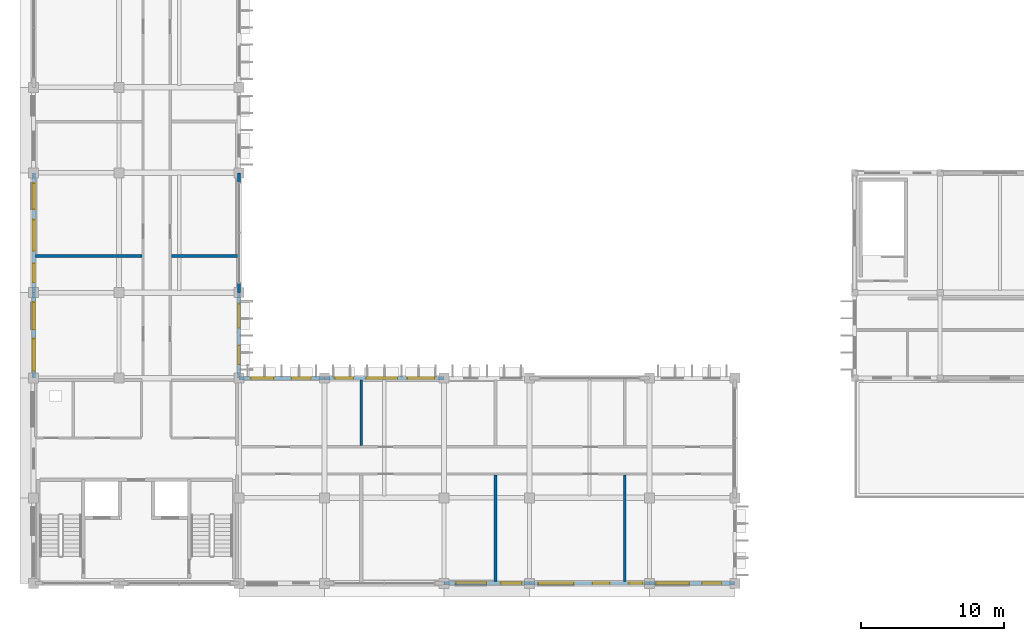
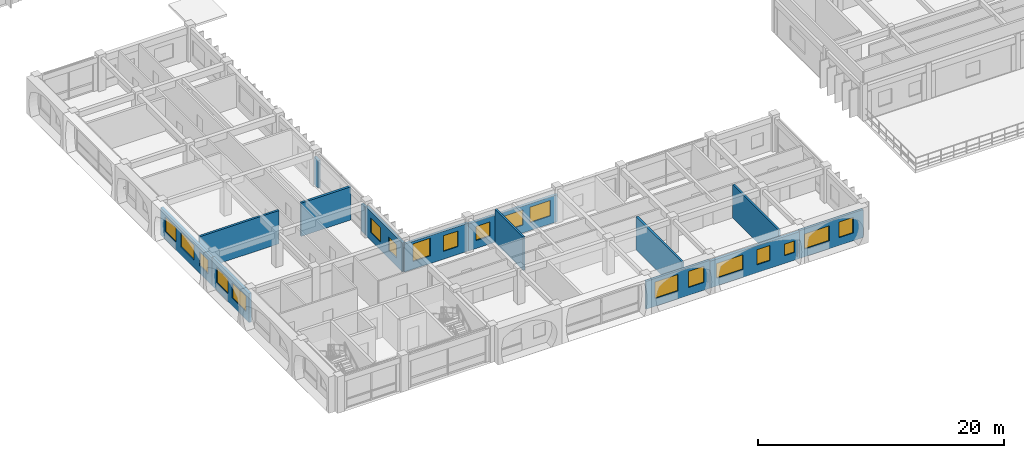
# One storey, part 47 of 88: 19 windows, 15 walls, 19 openings.
"""IFC4 building model written with IfcOpenShell, lengths in metres."""

from ifc_helpers import new_model, si_unit, direction, frame, frame_2d, origin, place, context, subcontext, project, spatial, rectangle, extrude, material, layer, layer_set, type_object, element, fill, save


model = new_model("IFC4")

# Units and contexts
model_context = context("Model", 3, precision=1e-05, world=origin(), true_north=direction((0.0, 1.0)))
body_context = subcontext(model_context, "Body", "Model", "MODEL_VIEW")
ifc_project = project(units=[si_unit("LENGTHUNIT", "METRE"), si_unit("AREAUNIT", "SQUARE_METRE"), si_unit("VOLUMEUNIT", "CUBIC_METRE"), si_unit("PLANEANGLEUNIT", "RADIAN"), si_unit("MASSUNIT", "GRAM", prefix="KILO"), si_unit("THERMODYNAMICTEMPERATUREUNIT", "KELVIN")], contexts=[model_context])

# Site, building, storey
site_placement = place(None, origin())
site = spatial("IfcSite", under=ifc_project, at=site_placement, CompositionType="ELEMENT")
building_placement = place(site_placement, origin())
building = spatial("IfcBuilding", under=site, at=building_placement, Name="Thalorik Housing Commons", CompositionType="ELEMENT")
storey_placement = place(building_placement, frame((0.0, 0.0, 4.5)))
storey = spatial("IfcBuildingStorey", under=building, at=storey_placement, Name="L01", CompositionType="ELEMENT", Elevation=4.5)

# Wall, openings, windows
ifc_material_1 = material(Name="White precast concrete C40/50", Category="concrete")
ifc_layer_1 = layer(ifc_material_1, 0.235107421875, Name="White precast concrete C40/50", Category="concrete")
ifc_layer_set_1 = layer_set([ifc_layer_1], Name="White precast concrete C40/50")
wall_type_1 = type_object("IfcWallType", Name="ARC-WAL-EXT-235", PredefinedType="STANDARD", material=ifc_layer_set_1)
wall_1_placement = place(storey_placement, frame((22.800048828125, 22.800048828125, 0.0), z_axis=(0.0, 0.0, 1.0), x_axis=(0.0, 1.0, 0.0)))
wall_1 = element("IfcWall", 1, at=wall_1_placement, inside=storey, type_object=wall_type_1, Name="L01 Exterior Wall WAL-EXT-L01-C-0849", PredefinedType="STANDARD", context=body_context, shape_type="SweptSolid", body=[
    extrude(rectangle(XDim=6.0, YDim=0.235107421875, at=frame_2d((3.0, 0.0))), origin(), (0.0, 0.0, 1.0), 2.875),
])
opening_1_placement = place(wall_1_placement, frame((0.969970703125, 0.0, 0.780029296875)))
opening_1 = element("IfcOpeningElement", 2, at=opening_1_placement, cuts=wall_1, Name="Opening W-48", PredefinedType="OPENING", context=body_context, shape_type="SweptSolid", body=[
    extrude(rectangle(XDim=1.320068359375, YDim=1.35009765625, at=frame_2d((0.66015625, 0.675048828125))), frame((0.0, 0.12744140625, 0.0), z_axis=(0.0, -1.0, 0.0), x_axis=(1.0, 0.0, 0.0)), (0.0, 0.0, 1.0), 0.255126953125),
])
opening_2_placement = place(wall_1_placement, frame((3.530029296875, 0.0, 0.780029296875)))
opening_2 = element("IfcOpeningElement", 3, at=opening_2_placement, cuts=wall_1, Name="Opening W-55", PredefinedType="OPENING", context=body_context, shape_type="SweptSolid", body=[
    extrude(rectangle(XDim=1.679931640625, YDim=1.4599609375, at=frame_2d((0.83984375, 0.72998046875))), frame((0.0, 0.12744140625, 0.0), z_axis=(0.0, -1.0, 0.0), x_axis=(1.0, 0.0, 0.0)), (0.0, 0.0, 1.0), 0.255126953125),
])
ifc_material_2 = material(Name="Anodised aluminium and solar-control low-E glass", Category="aluminium")
window_type_1 = type_object("IfcWindowType", Name="ARC-WIN-48", PartitioningType="SINGLE_PANEL", PredefinedType="WINDOW", material=ifc_material_2)
window_1_placement = place(opening_1_placement, origin())
window_1 = element("IfcWindow", 4, at=window_1_placement, inside=storey, type_object=window_type_1, Name="L01 Facade Window 1574", OverallHeight=1.35009765625, OverallWidth=1.320068359375, PartitioningType="SINGLE_PANEL", PredefinedType="WINDOW", context=body_context, shape_type="SweptSolid", body=[
    extrude(rectangle(XDim=1.320068359375, YDim=1.35009765625, at=frame_2d((0.66015625, 0.675048828125))), frame((0.0, 0.030029296875, 0.0), z_axis=(0.0, -1.0, 0.0), x_axis=(1.0, 0.0, 0.0)), (0.0, 0.0, 1.0), 0.06005859375),
])
fill(opening_1, window_1)
window_type_2 = type_object("IfcWindowType", Name="ARC-WIN-55", PartitioningType="DOUBLE_PANEL_VERTICAL", PredefinedType="WINDOW", material=ifc_material_2)
window_2_placement = place(opening_2_placement, origin())
window_2 = element("IfcWindow", 5, at=window_2_placement, inside=storey, type_object=window_type_2, Name="L01 Facade Window 1575", OverallHeight=1.4599609375, OverallWidth=1.679931640625, PartitioningType="DOUBLE_PANEL_VERTICAL", PredefinedType="WINDOW", context=body_context, shape_type="SweptSolid", body=[
    extrude(rectangle(XDim=1.679931640625, YDim=1.4599609375, at=frame_2d((0.83984375, 0.72998046875))), frame((0.0, 0.030029296875, 0.0), z_axis=(0.0, -1.0, 0.0), x_axis=(1.0, 0.0, 0.0)), (0.0, 0.0, 1.0), 0.06005859375),
])
fill(opening_2, window_2)

# Walls
for number, where, z_axis, x_axis, name in (
    (6, (22.800048828125, 28.800048828125, 0.0), (0.0, 0.0, 1.0), (0.0, 1.0, 0.0), "L01 Exterior Wall WAL-PIERL-L01-C-0850"),
    (7, (22.800048828125, 36.5, 0.0), (0.0, 0.0, 1.0), (0.0, 1.0, 0.0), "L01 Exterior Wall WAL-PIERR-L01-C-0850"),
):
    element("IfcWall", number, at=place(storey_placement, frame(where, z_axis=z_axis, x_axis=x_axis)), inside=storey, type_object=wall_type_1, Name=name, PredefinedType="STANDARD", context=body_context, shape_type="SweptSolid", body=[
        extrude(rectangle(XDim=0.699951171875, YDim=0.235107421875, at=frame_2d((0.35009765625, 0.0))), origin(), (0.0, 0.0, 1.0), 2.72509765625),
    ])

# Wall, openings, windows
wall_2_placement = place(storey_placement, frame((8.39990234375, 37.199951171875, 0.0), z_axis=(0.0, 0.0, 1.0), x_axis=(0.0, -1.0, 0.0)))
wall_2 = element("IfcWall", 8, at=wall_2_placement, inside=storey, type_object=wall_type_1, Name="L01 Exterior Wall WAL-EXT-L01-C-0859", PredefinedType="STANDARD", context=body_context, shape_type="SweptSolid", body=[
    extrude(rectangle(XDim=8.39990234375, YDim=0.235107421875, at=frame_2d((4.199951171875, 0.0))), origin(), (0.0, 0.0, 1.0), 2.72509765625),
])
opening_3_placement = place(wall_2_placement, frame((0.722412109375, 0.0, 0.780029296875)))
opening_3 = element("IfcOpeningElement", 9, at=opening_3_placement, cuts=wall_2, Name="Opening W-58", PredefinedType="OPENING", context=body_context, shape_type="SweptSolid", body=[
    extrude(rectangle(XDim=1.820068359375, YDim=1.4599609375, at=frame_2d((0.91015625, 0.72998046875))), frame((0.0, 0.12744140625, 0.0), z_axis=(0.0, -1.0, 0.0), x_axis=(1.0, 0.0, 0.0)), (0.0, 0.0, 1.0), 0.255126953125),
])
opening_4_placement = place(wall_2_placement, frame((3.28759765625, 0.0, 0.780029296875)))
opening_4 = element("IfcOpeningElement", 10, at=opening_4_placement, cuts=wall_2, Name="Opening W-65", PredefinedType="OPENING", context=body_context, shape_type="SweptSolid", body=[
    extrude(rectangle(XDim=2.179931640625, YDim=1.47998046875, at=frame_2d((1.08984375, 0.739990234375))), frame((0.0, 0.12744140625, 0.0), z_axis=(0.0, -1.0, 0.0), x_axis=(1.0, 0.0, 0.0)), (0.0, 0.0, 1.0), 0.255126953125),
])
opening_5_placement = place(wall_2_placement, frame((6.35498046875, 0.0, 0.780029296875)))
opening_5 = element("IfcOpeningElement", 11, at=opening_5_placement, cuts=wall_2, Name="Opening W-48", PredefinedType="OPENING", context=body_context, shape_type="SweptSolid", body=[
    extrude(rectangle(XDim=1.320068359375, YDim=1.35009765625, at=frame_2d((0.66015625, 0.675048828125))), frame((0.0, 0.12744140625, 0.0), z_axis=(0.0, -1.0, 0.0), x_axis=(1.0, 0.0, 0.0)), (0.0, 0.0, 1.0), 0.255126953125),
])
window_3_placement = place(opening_5_placement, origin())
window_3 = element("IfcWindow", 12, at=window_3_placement, inside=storey, type_object=window_type_1, Name="L01 Facade Window 1592", OverallHeight=1.35009765625, OverallWidth=1.320068359375, PartitioningType="SINGLE_PANEL", PredefinedType="WINDOW", context=body_context, shape_type="SweptSolid", body=[
    extrude(rectangle(XDim=1.320068359375, YDim=1.35009765625, at=frame_2d((0.66015625, 0.675048828125))), frame((0.0, 0.030029296875, 0.0), z_axis=(0.0, -1.0, 0.0), x_axis=(1.0, 0.0, 0.0)), (0.0, 0.0, 1.0), 0.06005859375),
])
fill(opening_5, window_3)
window_type_3 = type_object("IfcWindowType", Name="ARC-WIN-58", PartitioningType="DOUBLE_PANEL_VERTICAL", PredefinedType="WINDOW", material=ifc_material_2)
window_4_placement = place(opening_3_placement, origin())
window_4 = element("IfcWindow", 13, at=window_4_placement, inside=storey, type_object=window_type_3, Name="L01 Facade Window 1590", OverallHeight=1.4599609375, OverallWidth=1.820068359375, PartitioningType="DOUBLE_PANEL_VERTICAL", PredefinedType="WINDOW", context=body_context, shape_type="SweptSolid", body=[
    extrude(rectangle(XDim=1.820068359375, YDim=1.4599609375, at=frame_2d((0.91015625, 0.72998046875))), frame((0.0, 0.030029296875, 0.0), z_axis=(0.0, -1.0, 0.0), x_axis=(1.0, 0.0, 0.0)), (0.0, 0.0, 1.0), 0.06005859375),
])
fill(opening_3, window_4)
window_type_4 = type_object("IfcWindowType", Name="ARC-WIN-65", PartitioningType="DOUBLE_PANEL_VERTICAL", PredefinedType="WINDOW", material=ifc_material_2)
window_5_placement = place(opening_4_placement, origin())
window_5 = element("IfcWindow", 14, at=window_5_placement, inside=storey, type_object=window_type_4, Name="L01 Facade Window 1591", OverallHeight=1.47998046875, OverallWidth=2.179931640625, PartitioningType="DOUBLE_PANEL_VERTICAL", PredefinedType="WINDOW", context=body_context, shape_type="SweptSolid", body=[
    extrude(rectangle(XDim=2.179931640625, YDim=1.47998046875, at=frame_2d((1.08984375, 0.739990234375))), frame((0.0, 0.030029296875, 0.0), z_axis=(0.0, -1.0, 0.0), x_axis=(1.0, 0.0, 0.0)), (0.0, 0.0, 1.0), 0.06005859375),
])
fill(opening_4, window_5)

wall_3_placement = place(storey_placement, frame((8.39990234375, 28.800048828125, 0.0), z_axis=(0.0, 0.0, 1.0), x_axis=(0.0, -1.0, 0.0)))
wall_3 = element("IfcWall", 15, at=wall_3_placement, inside=storey, type_object=wall_type_1, Name="L01 Exterior Wall WAL-EXT-L01-C-0860", PredefinedType="STANDARD", context=body_context, shape_type="SweptSolid", body=[
    extrude(rectangle(XDim=6.0, YDim=0.235107421875, at=frame_2d((3.0, 0.0))), origin(), (0.0, 0.0, 1.0), 2.875),
])
opening_6_placement = place(wall_3_placement, frame((0.68994140625, 0.0, 0.780029296875)))
opening_6 = element("IfcOpeningElement", 16, at=opening_6_placement, cuts=wall_3, Name="Opening W-59", PredefinedType="OPENING", context=body_context, shape_type="SweptSolid", body=[
    extrude(rectangle(XDim=1.8798828125, YDim=1.52001953125, at=frame_2d((0.93994140625, 0.760009765625))), frame((0.0, 0.12744140625, 0.0), z_axis=(0.0, -1.0, 0.0), x_axis=(1.0, 0.0, 0.0)), (0.0, 0.0, 1.0), 0.255126953125),
])
opening_7_placement = place(wall_3_placement, frame((3.25, 0.0, 0.780029296875)))
opening_7 = element("IfcOpeningElement", 17, at=opening_7_placement, cuts=wall_3, Name="Opening W-66", PredefinedType="OPENING", context=body_context, shape_type="SweptSolid", body=[
    extrude(rectangle(XDim=2.239990234375, YDim=1.52001953125, at=frame_2d((1.1201171875, 0.760009765625))), frame((0.0, 0.12744140625, 0.0), z_axis=(0.0, -1.0, 0.0), x_axis=(1.0, 0.0, 0.0)), (0.0, 0.0, 1.0), 0.255126953125),
])
window_type_5 = type_object("IfcWindowType", Name="ARC-WIN-59", PartitioningType="DOUBLE_PANEL_VERTICAL", PredefinedType="WINDOW", material=ifc_material_2)
window_6_placement = place(opening_6_placement, origin())
window_6 = element("IfcWindow", 18, at=window_6_placement, inside=storey, type_object=window_type_5, Name="L01 Facade Window 1593", OverallHeight=1.52001953125, OverallWidth=1.8798828125, PartitioningType="DOUBLE_PANEL_VERTICAL", PredefinedType="WINDOW", context=body_context, shape_type="SweptSolid", body=[
    extrude(rectangle(XDim=1.8798828125, YDim=1.52001953125, at=frame_2d((0.93994140625, 0.760009765625))), frame((0.0, 0.030029296875, 0.0), z_axis=(0.0, -1.0, 0.0), x_axis=(1.0, 0.0, 0.0)), (0.0, 0.0, 1.0), 0.06005859375),
])
fill(opening_6, window_6)
window_type_6 = type_object("IfcWindowType", Name="ARC-WIN-66", PartitioningType="DOUBLE_PANEL_VERTICAL", PredefinedType="WINDOW", material=ifc_material_2)
window_7_placement = place(opening_7_placement, origin())
window_7 = element("IfcWindow", 19, at=window_7_placement, inside=storey, type_object=window_type_6, Name="L01 Facade Window 1594", OverallHeight=1.52001953125, OverallWidth=2.239990234375, PartitioningType="DOUBLE_PANEL_VERTICAL", PredefinedType="WINDOW", context=body_context, shape_type="SweptSolid", body=[
    extrude(rectangle(XDim=2.239990234375, YDim=1.52001953125, at=frame_2d((1.1201171875, 0.760009765625))), frame((0.0, 0.030029296875, 0.0), z_axis=(0.0, -1.0, 0.0), x_axis=(1.0, 0.0, 0.0)), (0.0, 0.0, 1.0), 0.06005859375),
])
fill(opening_7, window_7)

wall_4_placement = place(storey_placement, frame((37.199951171875, 8.39990234375, 0.0), z_axis=(0.0, 0.0, 1.0), x_axis=(1.0, 0.0, 0.0)))
wall_4 = element("IfcWall", 20, at=wall_4_placement, inside=storey, type_object=wall_type_1, Name="L01 Exterior Wall WAL-EXT-L01-C-0867", PredefinedType="STANDARD", context=body_context, shape_type="SweptSolid", body=[
    extrude(rectangle(XDim=6.0, YDim=0.235107421875, at=frame_2d((3.0, 0.0))), origin(), (0.0, 0.0, 1.0), 2.77490234375),
])
opening_8_placement = place(wall_4_placement, frame((0.820068359375, 0.0, 0.780029296875)))
opening_8 = element("IfcOpeningElement", 21, at=opening_8_placement, cuts=wall_4, Name="Opening W-28", PredefinedType="OPENING", context=body_context, shape_type="SweptSolid", body=[
    extrude(rectangle(XDim=2.14990234375, YDim=1.64990234375, at=frame_2d((1.074951171875, 0.824951171875))), frame((0.0, 0.12744140625, 0.0), z_axis=(0.0, -1.0, 0.0), x_axis=(1.0, 0.0, 0.0)), (0.0, 0.0, 1.0), 0.255126953125),
])
opening_9_placement = place(wall_4_placement, frame((3.97998046875, 0.0, 0.780029296875)))
opening_9 = element("IfcOpeningElement", 22, at=opening_9_placement, cuts=wall_4, Name="Opening W-09", PredefinedType="OPENING", context=body_context, shape_type="SweptSolid", body=[
    extrude(rectangle(XDim=1.449951171875, YDim=1.60009765625, at=frame_2d((0.72509765625, 0.800048828125))), frame((0.0, 0.12744140625, 0.0), z_axis=(0.0, -1.0, 0.0), x_axis=(1.0, 0.0, 0.0)), (0.0, 0.0, 1.0), 0.255126953125),
])
window_type_7 = type_object("IfcWindowType", Name="ARC-WIN-09", PartitioningType="SINGLE_PANEL", PredefinedType="WINDOW", material=ifc_material_2)
window_8_placement = place(opening_9_placement, origin())
window_8 = element("IfcWindow", 23, at=window_8_placement, inside=storey, type_object=window_type_7, Name="L01 Facade Window 1602", OverallHeight=1.60009765625, OverallWidth=1.449951171875, PartitioningType="SINGLE_PANEL", PredefinedType="WINDOW", context=body_context, shape_type="SweptSolid", body=[
    extrude(rectangle(XDim=1.449951171875, YDim=1.60009765625, at=frame_2d((0.72509765625, 0.800048828125))), frame((0.0, 0.030029296875, 0.0), z_axis=(0.0, -1.0, 0.0), x_axis=(1.0, 0.0, 0.0)), (0.0, 0.0, 1.0), 0.06005859375),
])
fill(opening_9, window_8)
window_type_8 = type_object("IfcWindowType", Name="ARC-WIN-28", PartitioningType="DOUBLE_PANEL_VERTICAL", PredefinedType="WINDOW", material=ifc_material_2)
window_9_placement = place(opening_8_placement, origin())
window_9 = element("IfcWindow", 24, at=window_9_placement, inside=storey, type_object=window_type_8, Name="L01 Facade Window 1601", OverallHeight=1.64990234375, OverallWidth=2.14990234375, PartitioningType="DOUBLE_PANEL_VERTICAL", PredefinedType="WINDOW", context=body_context, shape_type="SweptSolid", body=[
    extrude(rectangle(XDim=2.14990234375, YDim=1.64990234375, at=frame_2d((1.074951171875, 0.824951171875))), frame((0.0, 0.030029296875, 0.0), z_axis=(0.0, -1.0, 0.0), x_axis=(1.0, 0.0, 0.0)), (0.0, 0.0, 1.0), 0.06005859375),
])
fill(opening_8, window_9)

wall_5_placement = place(storey_placement, frame((43.199951171875, 8.39990234375, 0.0), z_axis=(0.0, 0.0, 1.0), x_axis=(1.0, 0.0, 0.0)))
wall_5 = element("IfcWall", 25, at=wall_5_placement, inside=storey, type_object=wall_type_1, Name="L01 Exterior Wall WAL-EXT-L01-C-0868", PredefinedType="STANDARD", context=body_context, shape_type="SweptSolid", body=[
    extrude(rectangle(XDim=8.400146484375, YDim=0.235107421875, at=frame_2d((4.2001953125, 0.0))), origin(), (0.0, 0.0, 1.0), 2.675048828125),
])
opening_10_placement = place(wall_5_placement, frame((0.60498046875, 0.0, 0.780029296875)))
opening_10 = element("IfcOpeningElement", 26, at=opening_10_placement, cuts=wall_5, Name="Opening W-71", PredefinedType="OPENING", context=body_context, shape_type="SweptSolid", body=[
    extrude(rectangle(XDim=2.47998046875, YDim=1.4599609375, at=frame_2d((1.239990234375, 0.72998046875))), frame((0.0, 0.12744140625, 0.0), z_axis=(0.0, -1.0, 0.0), x_axis=(1.0, 0.0, 0.0)), (0.0, 0.0, 1.0), 0.255126953125),
])
opening_11_placement = place(wall_5_placement, frame((4.4150390625, 0.0, 0.780029296875)))
opening_11 = element("IfcOpeningElement", 27, at=opening_11_placement, cuts=wall_5, Name="Opening W-05", PredefinedType="OPENING", context=body_context, shape_type="SweptSolid", body=[
    extrude(rectangle(XDim=1.199951171875, YDim=1.5, at=frame_2d((0.60009765625, 0.75))), frame((0.0, 0.12744140625, 0.0), z_axis=(0.0, -1.0, 0.0), x_axis=(1.0, 0.0, 0.0)), (0.0, 0.0, 1.0), 0.255126953125),
])
opening_12_placement = place(wall_5_placement, frame((6.965087890625, 0.0, 0.780029296875)))
opening_12 = element("IfcOpeningElement", 28, at=opening_12_placement, cuts=wall_5, Name="Opening W-43", PredefinedType="OPENING", context=body_context, shape_type="SweptSolid", body=[
    extrude(rectangle(XDim=0.949951171875, YDim=1.14990234375, at=frame_2d((0.47509765625, 0.574951171875))), frame((0.0, 0.12744140625, 0.0), z_axis=(0.0, -1.0, 0.0), x_axis=(1.0, 0.0, 0.0)), (0.0, 0.0, 1.0), 0.255126953125),
])
window_type_9 = type_object("IfcWindowType", Name="ARC-WIN-05", PartitioningType="SINGLE_PANEL", PredefinedType="WINDOW", material=ifc_material_2)
window_10_placement = place(opening_11_placement, origin())
window_10 = element("IfcWindow", 29, at=window_10_placement, inside=storey, type_object=window_type_9, Name="L01 Facade Window 1604", OverallHeight=1.5, OverallWidth=1.199951171875, PartitioningType="SINGLE_PANEL", PredefinedType="WINDOW", context=body_context, shape_type="SweptSolid", body=[
    extrude(rectangle(XDim=1.199951171875, YDim=1.5, at=frame_2d((0.60009765625, 0.75))), frame((0.0, 0.030029296875, 0.0), z_axis=(0.0, -1.0, 0.0), x_axis=(1.0, 0.0, 0.0)), (0.0, 0.0, 1.0), 0.06005859375),
])
fill(opening_11, window_10)
window_type_10 = type_object("IfcWindowType", Name="ARC-WIN-43", PartitioningType="SINGLE_PANEL", PredefinedType="WINDOW", material=ifc_material_2)
window_11_placement = place(opening_12_placement, origin())
window_11 = element("IfcWindow", 30, at=window_11_placement, inside=storey, type_object=window_type_10, Name="L01 Facade Window 1605", OverallHeight=1.14990234375, OverallWidth=0.949951171875, PartitioningType="SINGLE_PANEL", PredefinedType="WINDOW", context=body_context, shape_type="SweptSolid", body=[
    extrude(rectangle(XDim=0.949951171875, YDim=1.14990234375, at=frame_2d((0.47509765625, 0.574951171875))), frame((0.0, 0.030029296875, 0.0), z_axis=(0.0, -1.0, 0.0), x_axis=(1.0, 0.0, 0.0)), (0.0, 0.0, 1.0), 0.06005859375),
])
fill(opening_12, window_11)
window_type_11 = type_object("IfcWindowType", Name="ARC-WIN-71", PartitioningType="DOUBLE_PANEL_VERTICAL", PredefinedType="WINDOW", material=ifc_material_2)
window_12_placement = place(opening_10_placement, origin())
window_12 = element("IfcWindow", 31, at=window_12_placement, inside=storey, type_object=window_type_11, Name="L01 Facade Window 1603", OverallHeight=1.4599609375, OverallWidth=2.47998046875, PartitioningType="DOUBLE_PANEL_VERTICAL", PredefinedType="WINDOW", context=body_context, shape_type="SweptSolid", body=[
    extrude(rectangle(XDim=2.47998046875, YDim=1.4599609375, at=frame_2d((1.239990234375, 0.72998046875))), frame((0.0, 0.030029296875, 0.0), z_axis=(0.0, -1.0, 0.0), x_axis=(1.0, 0.0, 0.0)), (0.0, 0.0, 1.0), 0.06005859375),
])
fill(opening_10, window_12)

wall_6_placement = place(storey_placement, frame((51.60009765625, 8.39990234375, 0.0), z_axis=(0.0, 0.0, 1.0), x_axis=(1.0, 0.0, 0.0)))
wall_6 = element("IfcWall", 32, at=wall_6_placement, inside=storey, type_object=wall_type_1, Name="L01 Exterior Wall WAL-EXT-L01-C-0869", PredefinedType="STANDARD", context=body_context, shape_type="SweptSolid", body=[
    extrude(rectangle(XDim=6.0, YDim=0.235107421875, at=frame_2d((3.0, 0.0))), origin(), (0.0, 0.0, 1.0), 2.77490234375),
])
opening_13_placement = place(wall_6_placement, frame((0.469970703125, 0.0, 0.780029296875)))
opening_13 = element("IfcOpeningElement", 33, at=opening_13_placement, cuts=wall_6, Name="Opening W-68", PredefinedType="OPENING", context=body_context, shape_type="SweptSolid", body=[
    extrude(rectangle(XDim=2.320068359375, YDim=1.5, at=frame_2d((1.16015625, 0.75))), frame((0.0, 0.12744140625, 0.0), z_axis=(0.0, -1.0, 0.0), x_axis=(1.0, 0.0, 0.0)), (0.0, 0.0, 1.0), 0.255126953125),
])
opening_14_placement = place(wall_6_placement, frame((3.695068359375, 0.0, 0.780029296875)))
opening_14 = element("IfcOpeningElement", 34, at=opening_14_placement, cuts=wall_6, Name="Opening W-07", PredefinedType="OPENING", context=body_context, shape_type="SweptSolid", body=[
    extrude(rectangle(XDim=1.35009765625, YDim=1.550048828125, at=frame_2d((0.675048828125, 0.77490234375))), frame((0.0, 0.12744140625, 0.0), z_axis=(0.0, -1.0, 0.0), x_axis=(1.0, 0.0, 0.0)), (0.0, 0.0, 1.0), 0.255126953125),
])
window_type_12 = type_object("IfcWindowType", Name="ARC-WIN-07", PartitioningType="SINGLE_PANEL", PredefinedType="WINDOW", material=ifc_material_2)
window_13_placement = place(opening_14_placement, origin())
window_13 = element("IfcWindow", 35, at=window_13_placement, inside=storey, type_object=window_type_12, Name="L01 Facade Window 1607", OverallHeight=1.550048828125, OverallWidth=1.35009765625, PartitioningType="SINGLE_PANEL", PredefinedType="WINDOW", context=body_context, shape_type="SweptSolid", body=[
    extrude(rectangle(XDim=1.35009765625, YDim=1.550048828125, at=frame_2d((0.675048828125, 0.77490234375))), frame((0.0, 0.030029296875, 0.0), z_axis=(0.0, -1.0, 0.0), x_axis=(1.0, 0.0, 0.0)), (0.0, 0.0, 1.0), 0.06005859375),
])
fill(opening_14, window_13)
window_type_13 = type_object("IfcWindowType", Name="ARC-WIN-68", PartitioningType="DOUBLE_PANEL_VERTICAL", PredefinedType="WINDOW", material=ifc_material_2)
window_14_placement = place(opening_13_placement, origin())
window_14 = element("IfcWindow", 36, at=window_14_placement, inside=storey, type_object=window_type_13, Name="L01 Facade Window 1606", OverallHeight=1.5, OverallWidth=2.320068359375, PartitioningType="DOUBLE_PANEL_VERTICAL", PredefinedType="WINDOW", context=body_context, shape_type="SweptSolid", body=[
    extrude(rectangle(XDim=2.320068359375, YDim=1.5, at=frame_2d((1.16015625, 0.75))), frame((0.0, 0.030029296875, 0.0), z_axis=(0.0, -1.0, 0.0), x_axis=(1.0, 0.0, 0.0)), (0.0, 0.0, 1.0), 0.06005859375),
])
fill(opening_13, window_14)

wall_7_placement = place(storey_placement, frame((37.199951171875, 22.800048828125, 0.0), z_axis=(0.0, 0.0, 1.0), x_axis=(-1.0, 0.0, 0.0)))
wall_7 = element("IfcWall", 37, at=wall_7_placement, inside=storey, type_object=wall_type_1, Name="L01 Exterior Wall WAL-EXT-L01-C-0875", PredefinedType="STANDARD", context=body_context, shape_type="SweptSolid", body=[
    extrude(rectangle(XDim=8.39990234375, YDim=0.235107421875, at=frame_2d((4.199951171875, 0.0))), origin(), (0.0, 0.0, 1.0), 2.675048828125),
])
opening_15_placement = place(wall_7_placement, frame((0.6826171875, 0.0, 0.780029296875)))
opening_15 = element("IfcOpeningElement", 38, at=opening_15_placement, cuts=wall_7, Name="Opening W-21", PredefinedType="OPENING", context=body_context, shape_type="SweptSolid", body=[
    extrude(rectangle(XDim=1.89990234375, YDim=1.550048828125, at=frame_2d((0.949951171875, 0.77490234375))), frame((0.0, 0.12744140625, 0.0), z_axis=(0.0, -1.0, 0.0), x_axis=(1.0, 0.0, 0.0)), (0.0, 0.0, 1.0), 0.255126953125),
])
opening_16_placement = place(wall_7_placement, frame((3.277587890625, 0.0, 0.780029296875)))
opening_16 = element("IfcOpeningElement", 39, at=opening_16_placement, cuts=wall_7, Name="Opening W-29", PredefinedType="OPENING", context=body_context, shape_type="SweptSolid", body=[
    extrude(rectangle(XDim=2.199951171875, YDim=1.5, at=frame_2d((1.10009765625, 0.75))), frame((0.0, 0.12744140625, 0.0), z_axis=(0.0, -1.0, 0.0), x_axis=(1.0, 0.0, 0.0)), (0.0, 0.0, 1.0), 0.255126953125),
])
opening_17_placement = place(wall_7_placement, frame((6.364990234375, 0.0, 0.780029296875)))
opening_17 = element("IfcOpeningElement", 40, at=opening_17_placement, cuts=wall_7, Name="Opening W-06", PredefinedType="OPENING", context=body_context, shape_type="SweptSolid", body=[
    extrude(rectangle(XDim=1.300048828125, YDim=1.39990234375, at=frame_2d((0.64990234375, 0.699951171875))), frame((0.0, 0.12744140625, 0.0), z_axis=(0.0, -1.0, 0.0), x_axis=(1.0, 0.0, 0.0)), (0.0, 0.0, 1.0), 0.255126953125),
])
window_type_14 = type_object("IfcWindowType", Name="ARC-WIN-06", PartitioningType="SINGLE_PANEL", PredefinedType="WINDOW", material=ifc_material_2)
window_15_placement = place(opening_17_placement, origin())
window_15 = element("IfcWindow", 41, at=window_15_placement, inside=storey, type_object=window_type_14, Name="L01 Facade Window 1616", OverallHeight=1.39990234375, OverallWidth=1.300048828125, PartitioningType="SINGLE_PANEL", PredefinedType="WINDOW", context=body_context, shape_type="SweptSolid", body=[
    extrude(rectangle(XDim=1.300048828125, YDim=1.39990234375, at=frame_2d((0.64990234375, 0.699951171875))), frame((0.0, 0.030029296875, 0.0), z_axis=(0.0, -1.0, 0.0), x_axis=(1.0, 0.0, 0.0)), (0.0, 0.0, 1.0), 0.06005859375),
])
fill(opening_17, window_15)
window_type_15 = type_object("IfcWindowType", Name="ARC-WIN-21", PartitioningType="DOUBLE_PANEL_VERTICAL", PredefinedType="WINDOW", material=ifc_material_2)
window_16_placement = place(opening_15_placement, origin())
window_16 = element("IfcWindow", 42, at=window_16_placement, inside=storey, type_object=window_type_15, Name="L01 Facade Window 1614", OverallHeight=1.550048828125, OverallWidth=1.89990234375, PartitioningType="DOUBLE_PANEL_VERTICAL", PredefinedType="WINDOW", context=body_context, shape_type="SweptSolid", body=[
    extrude(rectangle(XDim=1.89990234375, YDim=1.550048828125, at=frame_2d((0.949951171875, 0.77490234375))), frame((0.0, 0.030029296875, 0.0), z_axis=(0.0, -1.0, 0.0), x_axis=(1.0, 0.0, 0.0)), (0.0, 0.0, 1.0), 0.06005859375),
])
fill(opening_15, window_16)
window_type_16 = type_object("IfcWindowType", Name="ARC-WIN-29", PartitioningType="DOUBLE_PANEL_VERTICAL", PredefinedType="WINDOW", material=ifc_material_2)
window_17_placement = place(opening_16_placement, origin())
window_17 = element("IfcWindow", 43, at=window_17_placement, inside=storey, type_object=window_type_16, Name="L01 Facade Window 1615", OverallHeight=1.5, OverallWidth=2.199951171875, PartitioningType="DOUBLE_PANEL_VERTICAL", PredefinedType="WINDOW", context=body_context, shape_type="SweptSolid", body=[
    extrude(rectangle(XDim=2.199951171875, YDim=1.5, at=frame_2d((1.10009765625, 0.75))), frame((0.0, 0.030029296875, 0.0), z_axis=(0.0, -1.0, 0.0), x_axis=(1.0, 0.0, 0.0)), (0.0, 0.0, 1.0), 0.06005859375),
])
fill(opening_16, window_17)

wall_8_placement = place(storey_placement, frame((28.800048828125, 22.800048828125, 0.0), z_axis=(0.0, 0.0, 1.0), x_axis=(-1.0, 0.0, 0.0)))
wall_8 = element("IfcWall", 44, at=wall_8_placement, inside=storey, type_object=wall_type_1, Name="L01 Exterior Wall WAL-EXT-L01-C-0876", PredefinedType="STANDARD", context=body_context, shape_type="SweptSolid", body=[
    extrude(rectangle(XDim=6.0, YDim=0.235107421875, at=frame_2d((3.0, 0.0))), origin(), (0.0, 0.0, 1.0), 2.77490234375),
])
opening_18_placement = place(wall_8_placement, frame((0.955078125, 0.0, 0.780029296875)))
opening_18 = element("IfcOpeningElement", 45, at=opening_18_placement, cuts=wall_8, Name="Opening W-07", PredefinedType="OPENING", context=body_context, shape_type="SweptSolid", body=[
    extrude(rectangle(XDim=1.35009765625, YDim=1.550048828125, at=frame_2d((0.675048828125, 0.77490234375))), frame((0.0, 0.12744140625, 0.0), z_axis=(0.0, -1.0, 0.0), x_axis=(1.0, 0.0, 0.0)), (0.0, 0.0, 1.0), 0.255126953125),
])
opening_19_placement = place(wall_8_placement, frame((3.570068359375, 0.0, 0.780029296875)))
opening_19 = element("IfcOpeningElement", 46, at=opening_19_placement, cuts=wall_8, Name="Opening W-14", PredefinedType="OPENING", context=body_context, shape_type="SweptSolid", body=[
    extrude(rectangle(XDim=1.60009765625, YDim=1.75, at=frame_2d((0.800048828125, 0.875))), frame((0.0, 0.12744140625, 0.0), z_axis=(0.0, -1.0, 0.0), x_axis=(1.0, 0.0, 0.0)), (0.0, 0.0, 1.0), 0.255126953125),
])
window_18_placement = place(opening_18_placement, origin())
window_18 = element("IfcWindow", 47, at=window_18_placement, inside=storey, type_object=window_type_12, Name="L01 Facade Window 1617", OverallHeight=1.550048828125, OverallWidth=1.35009765625, PartitioningType="SINGLE_PANEL", PredefinedType="WINDOW", context=body_context, shape_type="SweptSolid", body=[
    extrude(rectangle(XDim=1.35009765625, YDim=1.550048828125, at=frame_2d((0.675048828125, 0.77490234375))), frame((0.0, 0.030029296875, 0.0), z_axis=(0.0, -1.0, 0.0), x_axis=(1.0, 0.0, 0.0)), (0.0, 0.0, 1.0), 0.06005859375),
])
fill(opening_18, window_18)
window_type_17 = type_object("IfcWindowType", Name="ARC-WIN-14", PartitioningType="DOUBLE_PANEL_VERTICAL", PredefinedType="WINDOW", material=ifc_material_2)
window_19_placement = place(opening_19_placement, origin())
window_19 = element("IfcWindow", 48, at=window_19_placement, inside=storey, type_object=window_type_17, Name="L01 Facade Window 1618", OverallHeight=1.75, OverallWidth=1.60009765625, PartitioningType="DOUBLE_PANEL_VERTICAL", PredefinedType="WINDOW", context=body_context, shape_type="SweptSolid", body=[
    extrude(rectangle(XDim=1.60009765625, YDim=1.75, at=frame_2d((0.800048828125, 0.875))), frame((0.0, 0.030029296875, 0.0), z_axis=(0.0, -1.0, 0.0), x_axis=(1.0, 0.0, 0.0)), (0.0, 0.0, 1.0), 0.06005859375),
])
fill(opening_19, window_19)

# Walls
ifc_material_3 = material(Name="Masonry acoustic blockwork wall", Category="masonry")
ifc_layer_2 = layer(ifc_material_3, 0.18505859375, Name="Masonry acoustic blockwork wall", Category="masonry")
ifc_layer_set_2 = layer_set([ifc_layer_2], Name="Masonry acoustic blockwork wall")
wall_type_2 = type_object("IfcWallType", Name="ARC-WAL-PARTY-185", PredefinedType="PARTITIONING", material=ifc_layer_set_2)
wall_9_placement = place(storey_placement, frame((31.3798828125, 18.064453125, 0.0), z_axis=(0.0, 0.0, 1.0), x_axis=(0.0, 1.0, 0.0)))
element("IfcWall", 49, at=wall_9_placement, inside=storey, type_object=wall_type_2, Name="L01 Inter-Tenancy Wall 1B", PredefinedType="PARTITIONING", context=body_context, shape_type="SweptSolid", body=[
    extrude(rectangle(XDim=4.615966796875, YDim=0.18505859375, at=frame_2d((2.30810546875, 0.0))), origin(), (0.0, 0.0, 1.0), 3.300048828125),
])
wall_10_placement = place(storey_placement, frame((49.8701171875, 8.51953125, 0.0), z_axis=(0.0, 0.0, 1.0), x_axis=(0.0, 1.0, 0.0)))
element("IfcWall", 50, at=wall_10_placement, inside=storey, type_object=wall_type_2, Name="L01 Inter-Tenancy Wall 3A", PredefinedType="PARTITIONING", context=body_context, shape_type="SweptSolid", body=[
    extrude(rectangle(XDim=7.4833984375, YDim=0.18505859375, at=frame_2d((3.74169921875, 0.0))), origin(), (0.0, 0.0, 1.0), 3.300048828125),
])
ifc_material_4 = material(Name="Precast concrete C40/50 acoustic wall", Category="concrete")
ifc_layer_3 = layer(ifc_material_4, 0.199951171875, Name="Precast concrete C40/50 acoustic wall", Category="concrete")
ifc_layer_set_3 = layer_set([ifc_layer_3], Name="Precast concrete C40/50 acoustic wall")
wall_type_3 = type_object("IfcWallType", Name="ARC-WAL-PARTY-200", PredefinedType="PARTITIONING", material=ifc_layer_set_3)
for number, where, z_axis, x_axis, name in (
    (51, (8.51953125, 31.3798828125, 0.0), (0.0, 0.0, 1.0), (1.0, 0.0, 0.0), "L01 Inter-Tenancy Wall 1A"),
    (52, (40.800048828125, 8.51953125, 0.0), (0.0, 0.0, 1.0), (0.0, 1.0, 0.0), "L01 Inter-Tenancy Wall 2A"),
):
    element("IfcWall", number, at=place(storey_placement, frame(where, z_axis=z_axis, x_axis=x_axis)), inside=storey, type_object=wall_type_3, Name=name, PredefinedType="PARTITIONING", context=body_context, shape_type="SweptSolid", body=[
        extrude(rectangle(XDim=7.4833984375, YDim=0.199951171875, at=frame_2d((3.74169921875, 0.0))), origin(), (0.0, 0.0, 1.0), 3.300048828125),
    ])
ifc_layer_4 = layer(ifc_material_4, 0.219970703125, Name="Precast concrete C40/50 acoustic wall", Category="concrete")
ifc_layer_set_4 = layer_set([ifc_layer_4], Name="Precast concrete C40/50 acoustic wall")
wall_type_4 = type_object("IfcWallType", Name="ARC-WAL-PARTY-220", PredefinedType="PARTITIONING", material=ifc_layer_set_4)
wall_11_placement = place(storey_placement, frame((18.064453125, 31.3798828125, 0.0), z_axis=(0.0, 0.0, 1.0), x_axis=(1.0, 0.0, 0.0)))
element("IfcWall", 53, at=wall_11_placement, inside=storey, type_object=wall_type_4, Name="L01 Inter-Tenancy Wall 1B", PredefinedType="PARTITIONING", context=body_context, shape_type="SweptSolid", body=[
    extrude(rectangle(XDim=4.675537109375, YDim=0.219970703125, at=frame_2d((2.337890625, 0.0))), origin(), (0.0, 0.0, 1.0), 3.300048828125),
])

save(model, "model.ifc")
